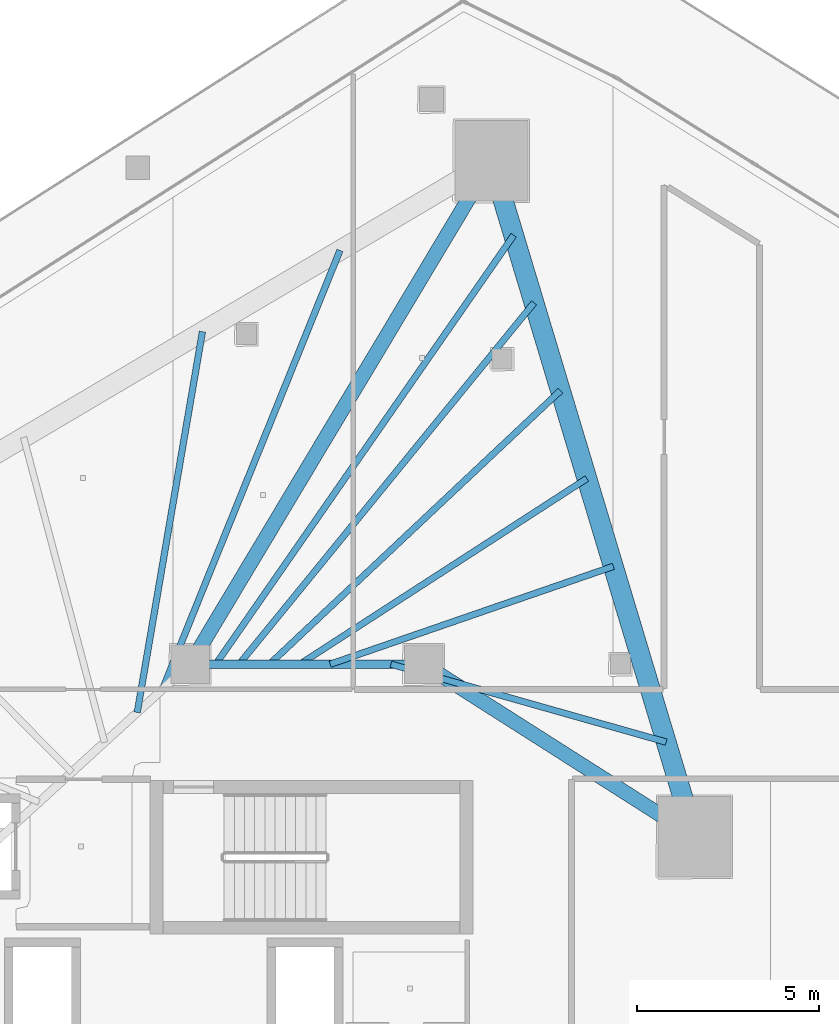
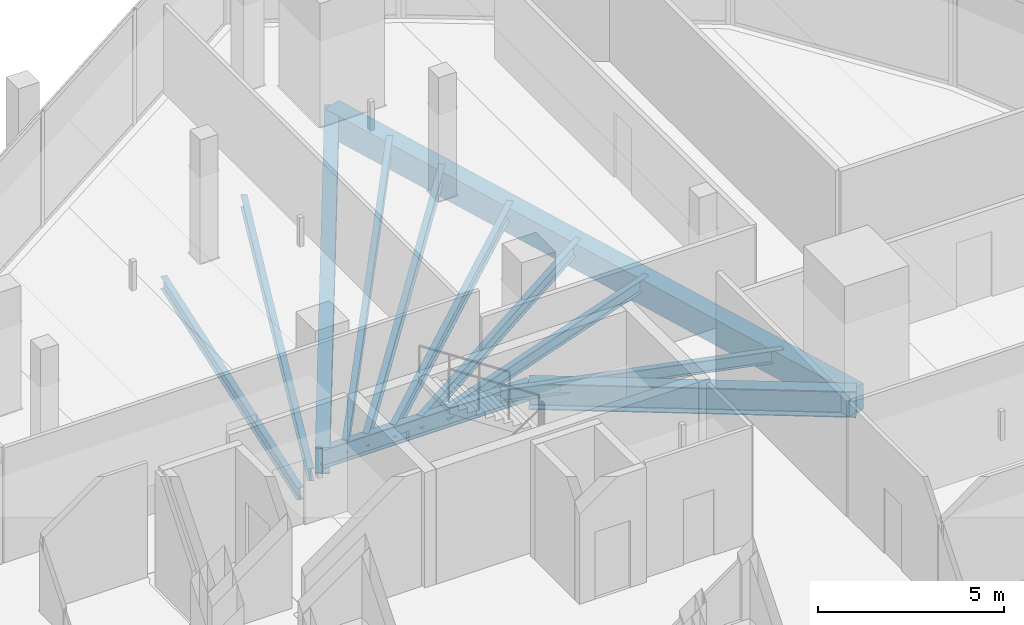
# One storey, part 19 of 39: 12 beams.
"""IFC4 building model written with IfcOpenShell, lengths in metres."""

from ifc_helpers import new_model, si_unit, direction, frame, origin, origin_2d, place, context, subcontext, project, spatial, rectangle, i_section, extrude, material, material_profile, profile_set, type_object, element, save


model = new_model("IFC4")

# Units and contexts
model_context = context("Model", 3, precision=1e-05, world=origin(), true_north=direction((0.0, 1.0)))
body_context = subcontext(model_context, "Body", "Model", "MODEL_VIEW")
ifc_project = project(units=[si_unit("LENGTHUNIT", "METRE"), si_unit("AREAUNIT", "SQUARE_METRE"), si_unit("VOLUMEUNIT", "CUBIC_METRE"), si_unit("PLANEANGLEUNIT", "RADIAN"), si_unit("MASSUNIT", "GRAM", prefix="KILO")], contexts=[model_context])

# Site, building, storey
site_placement = place(None, origin())
site = spatial("IfcSite", under=ifc_project, at=site_placement, CompositionType="ELEMENT")
building_placement = place(site_placement, origin())
building = spatial("IfcBuilding", under=site, at=building_placement, Name="Qorvath Tower", CompositionType="ELEMENT")
storey_placement = place(building_placement, frame((0.0, 0.0, 154.35009765625)))
storey = spatial("IfcBuildingStorey", under=building, at=storey_placement, Name="L35", CompositionType="ELEMENT", Elevation=154.35009765625)

# Beams
ifc_material_1 = material(Name="Steel ASTM A992 Grade 50", Category="steel")
ifc_material_profile_1 = material_profile(ifc_material_1, i_section(OverallWidth=0.39892578125, OverallDepth=0.85498046875, WebThickness=0.018310546875, FlangeThickness=0.029296875, FilletRadius=0.02001953125, at=origin_2d()), Name="W33x201")
ifc_profile_set_1 = profile_set([ifc_material_profile_1], Name="Steel ASTM A992 Grade 50")
beam_type_1 = type_object("IfcBeamType", Name="BM-FG2", PredefinedType="BEAM", material=ifc_profile_set_1)
beam_1_placement = place(storey_placement, frame((-23.60009765625, 11.449951171875, -0.697509765625), z_axis=(0.513497213955, 0.85809126045, 0.0), x_axis=(-0.85809126045, 0.513497213955, 0.0)))
element("IfcBeam", 1, at=beam_1_placement, inside=storey, type_object=beam_type_1, Name="Radial Floor Girder CC1-MC6 L35", PredefinedType="BEAM", context=body_context, shape_type="SweptSolid", body=[
    extrude(i_section(OverallWidth=0.39892578125, OverallDepth=0.85498046875, WebThickness=0.018310546875, FlangeThickness=0.029296875, FilletRadius=0.02001953125, at=origin_2d()), origin(), (0.0, 0.0, 1.0), 16.07763671875),
])
beam_2_placement = place(storey_placement, frame((-17.199951171875, 11.449951171875, -0.697509765625), z_axis=(0.843634090834, -0.536918542037, 0.0), x_axis=(0.536918542037, 0.843634090834, 0.0)))
element("IfcBeam", 2, at=beam_2_placement, inside=storey, type_object=beam_type_1, Name="Radial Floor Girder CC2-MC5 L35", PredefinedType="BEAM", context=body_context, shape_type="SweptSolid", body=[
    extrude(i_section(OverallWidth=0.39892578125, OverallDepth=0.85498046875, WebThickness=0.018310546875, FlangeThickness=0.029296875, FilletRadius=0.02001953125, at=origin_2d()), origin(), (0.0, 0.0, 1.0), 8.806884765625),
])
ifc_material_2 = material(Name="Steel ASTM A992 Grade 50", Category="steel")
ifc_material_profile_2 = material_profile(ifc_material_2, i_section(OverallWidth=0.22998046875, OverallDepth=0.616943359375, WebThickness=0.01318359375, FlangeThickness=0.022216796875, FilletRadius=0.014892578125, at=origin_2d()), Name="W24x94")
ifc_profile_set_2 = profile_set([ifc_material_profile_2], Name="Steel ASTM A992 Grade 50")
beam_type_2 = type_object("IfcBeamType", Name="BM-FG6", PredefinedType="BEAM", material=ifc_profile_set_2)
beam_3_placement = place(storey_placement, frame((-23.60009765625, 11.449951171875, -0.57861328125), z_axis=(1.0, 0.0, 0.0), x_axis=(0.0, 1.0, 0.0)))
element("IfcBeam", 3, at=beam_3_placement, inside=storey, type_object=beam_type_2, Name="Core Ring Girder CC1-CC2 L35", PredefinedType="BEAM", context=body_context, shape_type="SweptSolid", body=[
    extrude(i_section(OverallWidth=0.22998046875, OverallDepth=0.616943359375, WebThickness=0.01318359375, FlangeThickness=0.022216796875, FilletRadius=0.014892578125, at=origin_2d()), origin(), (0.0, 0.0, 1.0), 6.400146484375),
])
ifc_material_3 = material(Name="Steel ASTM A992 Grade 50", Category="steel")
ifc_material_profile_3 = material_profile(ifc_material_3, i_section(OverallWidth=0.177978515625, OverallDepth=0.406005859375, WebThickness=0.0078125, FlangeThickness=0.0126953125, FilletRadius=0.010986328125, at=origin_2d()), Name="W16x40")
ifc_profile_set_3 = profile_set([ifc_material_profile_3], Name="Steel ASTM A992 Grade 50")
beam_type_3 = type_object("IfcBeamType", Name="BM-FJ3", PredefinedType="JOIST", material=ifc_profile_set_3)
beam_4_placement = place(storey_placement, frame((-18.095947265625, 11.449951171875, -0.472900390625), z_axis=(0.962222206221, -0.272265359264, 0.0), x_axis=(0.272265359264, 0.962222206221, 0.0)))
element("IfcBeam", 4, at=beam_4_placement, inside=storey, type_object=beam_type_3, Name="Composite Floor Joist NE1 L35", PredefinedType="JOIST", context=body_context, shape_type="SweptSolid", body=[
    extrude(i_section(OverallWidth=0.177978515625, OverallDepth=0.406005859375, WebThickness=0.0078125, FlangeThickness=0.0126953125, FilletRadius=0.010986328125, at=origin_2d()), origin(), (0.0, 0.0, 1.0), 7.841552734375),
])
beam_5_placement = place(storey_placement, frame((-19.760009765625, 11.449951171875, -0.472900390625), z_axis=(0.945168345309, 0.326583525342, 0.0), x_axis=(-0.326583525342, 0.945168345309, 0.0)))
element("IfcBeam", 5, at=beam_5_placement, inside=storey, type_object=beam_type_3, Name="Composite Floor Joist NE3 L35", PredefinedType="JOIST", context=body_context, shape_type="SweptSolid", body=[
    extrude(i_section(OverallWidth=0.177978515625, OverallDepth=0.406005859375, WebThickness=0.0078125, FlangeThickness=0.0126953125, FilletRadius=0.010986328125, at=origin_2d()), origin(), (0.0, 0.0, 1.0), 8.21044921875),
])
beam_6_placement = place(storey_placement, frame((-20.592041015625, 11.449951171875, -0.472900390625), z_axis=(0.839630966809, 0.543157288062, 0.0), x_axis=(-0.543157288062, 0.839630966809, 0.0)))
element("IfcBeam", 6, at=beam_6_placement, inside=storey, type_object=beam_type_3, Name="Composite Floor Joist NE4 L35", PredefinedType="JOIST", context=body_context, shape_type="SweptSolid", body=[
    extrude(i_section(OverallWidth=0.177978515625, OverallDepth=0.406005859375, WebThickness=0.0078125, FlangeThickness=0.0126953125, FilletRadius=0.010986328125, at=origin_2d()), origin(), (0.0, 0.0, 1.0), 9.370361328125),
])
beam_7_placement = place(storey_placement, frame((-21.424072265625, 11.449951171875, -0.472900390625), z_axis=(0.728572459091, 0.684968737866, 0.0), x_axis=(-0.684968737866, 0.728572459091, 0.0)))
element("IfcBeam", 7, at=beam_7_placement, inside=storey, type_object=beam_type_3, Name="Composite Floor Joist NE5 L35", PredefinedType="JOIST", context=body_context, shape_type="SweptSolid", body=[
    extrude(i_section(OverallWidth=0.177978515625, OverallDepth=0.406005859375, WebThickness=0.0078125, FlangeThickness=0.0126953125, FilletRadius=0.010986328125, at=origin_2d()), origin(), (0.0, 0.0, 1.0), 10.9462890625),
])
beam_8_placement = place(storey_placement, frame((-22.256103515625, 11.449951171875, -0.472900390625), z_axis=(0.632187975212, 0.774815051478, 0.0), x_axis=(-0.774815051478, 0.632187975212, 0.0)))
element("IfcBeam", 8, at=beam_8_placement, inside=storey, type_object=beam_type_3, Name="Composite Floor Joist NE6 L35", PredefinedType="JOIST", context=body_context, shape_type="SweptSolid", body=[
    extrude(i_section(OverallWidth=0.177978515625, OverallDepth=0.406005859375, WebThickness=0.0078125, FlangeThickness=0.0126953125, FilletRadius=0.010986328125, at=origin_2d()), origin(), (0.0, 0.0, 1.0), 12.784912109375),
])
beam_9_placement = place(storey_placement, frame((-22.89599609375, 11.449951171875, -0.472900390625), z_axis=(0.570366725248, 0.821390162304, 0.0), x_axis=(-0.821390162304, 0.570366725248, 0.0)))
element("IfcBeam", 9, at=beam_9_placement, inside=storey, type_object=beam_type_3, Name="Composite Floor Joist NE7 L35", PredefinedType="JOIST", context=body_context, shape_type="SweptSolid", body=[
    extrude(i_section(OverallWidth=0.177978515625, OverallDepth=0.406005859375, WebThickness=0.0078125, FlangeThickness=0.0126953125, FilletRadius=0.010986328125, at=origin_2d()), origin(), (0.0, 0.0, 1.0), 14.3154296875),
])
beam_10_placement = place(storey_placement, frame((-25.049072265625, 10.126953125, -0.472900390625), z_axis=(0.168745594245, 0.985659639238, 0.0), x_axis=(-0.985659639238, 0.168745594245, 0.0)))
element("IfcBeam", 10, at=beam_10_placement, inside=storey, type_object=beam_type_3, Name="Composite Floor Joist NW6 L35", PredefinedType="JOIST", context=body_context, shape_type="SweptSolid", body=[
    extrude(i_section(OverallWidth=0.177978515625, OverallDepth=0.406005859375, WebThickness=0.0078125, FlangeThickness=0.0126953125, FilletRadius=0.010986328125, at=origin_2d()), origin(), (0.0, 0.0, 1.0), 10.589111328125),
])
beam_11_placement = place(storey_placement, frame((-24.35888671875, 10.757080078125, -0.472900390625), z_axis=(0.37487652097, 0.927074751045, 0.0), x_axis=(-0.927074751045, 0.37487652097, 0.0)))
element("IfcBeam", 11, at=beam_11_placement, inside=storey, type_object=beam_type_3, Name="Composite Floor Joist NW7 L35", PredefinedType="JOIST", context=body_context, shape_type="SweptSolid", body=[
    extrude(i_section(OverallWidth=0.177978515625, OverallDepth=0.406005859375, WebThickness=0.0078125, FlangeThickness=0.0126953125, FilletRadius=0.010986328125, at=origin_2d()), origin(), (0.0, 0.0, 1.0), 12.9833984375),
])
ifc_material_4 = material(Name="Concrete C50/60", Category="concrete")
ifc_material_profile_4 = material_profile(ifc_material_4, rectangle(XDim=0.550048828125, YDim=0.85009765625, at=origin_2d()), Name="RCB 850x550")
ifc_profile_set_4 = profile_set([ifc_material_profile_4], Name="Concrete C50/60")
beam_type_4 = type_object("IfcBeamType", Name="BM-RCB2", PredefinedType="SPANDREL", material=ifc_profile_set_4)
beam_12_placement = place(storey_placement, frame((-9.770263671875, 6.721435546875, -0.695068359375), z_axis=(-0.288133952099, 0.957590113591, 0.0), x_axis=(-0.957590113591, -0.288133952099, 0.0)))
element("IfcBeam", 12, at=beam_12_placement, inside=storey, type_object=beam_type_4, Name="Perimeter Loggia Frame Beam MC5-MC6 L35", PredefinedType="SPANDREL", context=body_context, shape_type="SweptSolid", body=[
    extrude(rectangle(XDim=0.550048828125, YDim=0.85009765625, at=origin_2d()), origin(), (0.0, 0.0, 1.0), 19.344970703125),
])

save(model, "model.ifc")
